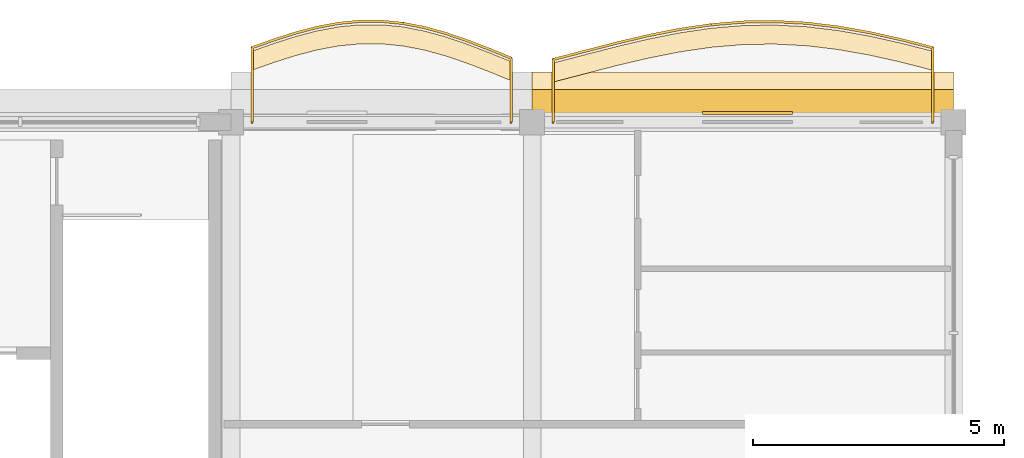
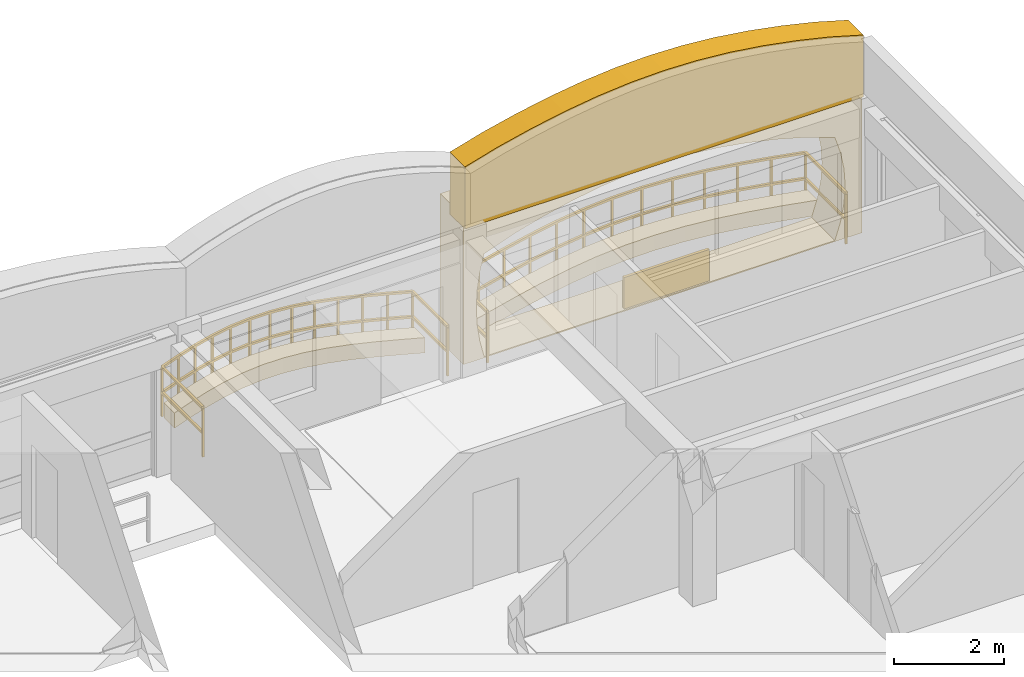
# One storey, part 12 of 12: 5 coverings, 2 railings.
"""IFC4 building model written with IfcOpenShell, lengths in metres."""

from ifc_helpers import new_model, si_unit, direction, frame, origin, origin_2d, place, context, subcontext, project, spatial, polyline, rectangle, outline, extrude, material, layer, layer_set, type_object, element, save


model = new_model("IFC4")

# Units and contexts
model_context = context("Model", 3, precision=1e-05, world=origin(), true_north=direction((0.0, 1.0)))
body_context = subcontext(model_context, "Body", "Model", "MODEL_VIEW")
ifc_project = project(units=[si_unit("LENGTHUNIT", "METRE"), si_unit("AREAUNIT", "SQUARE_METRE"), si_unit("VOLUMEUNIT", "CUBIC_METRE"), si_unit("PLANEANGLEUNIT", "RADIAN"), si_unit("MASSUNIT", "GRAM", prefix="KILO"), si_unit("THERMODYNAMICTEMPERATUREUNIT", "KELVIN")], contexts=[model_context])

# Site, building, storey
site_placement = place(None, origin())
site = spatial("IfcSite", under=ifc_project, at=site_placement, CompositionType="ELEMENT")
building_placement = place(site_placement, origin())
building = spatial("IfcBuilding", under=site, at=building_placement, Name="Thalorik Housing Commons", CompositionType="ELEMENT")
storey_placement = place(building_placement, frame((0.0, 0.0, 51.0)))
storey = spatial("IfcBuildingStorey", under=building, at=storey_placement, Name="L15", CompositionType="ELEMENT", Elevation=51.0)

# Coverings
ifc_material_1 = material(Name="Cobalt blue glazed ceramic facade tile panel", Category="masonry")
ifc_layer_1 = layer(ifc_material_1, 0.06005859375, Name="Cobalt blue glazed ceramic facade tile panel", Category="masonry")
ifc_layer_set_1 = layer_set([ifc_layer_1], Name="Cobalt blue glazed ceramic facade tile panel")
covering_type_1 = type_object("IfcCoveringType", Name="ARC-CLD-BLU-60", PredefinedType="CLADDING", material=ifc_layer_set_1)
covering_1_placement = place(storey_placement, frame((33.092529296875, 123.78759765625, 0.0498046875), z_axis=(0.0, 0.0, 1.0), x_axis=(-1.0, 0.0, 0.0)))
element("IfcCovering", 1, at=covering_1_placement, inside=storey, type_object=covering_type_1, Name="L15 De Stijl Recessed Window Spandrel 1425", PredefinedType="CLADDING", context=body_context, shape_type="SweptSolid", body=[
    extrude(rectangle(XDim=1.800048828125, YDim=0.06005859375, at=origin_2d()), origin(), (0.0, 0.0, 1.0), 0.699951171875),
])
ifc_material_2 = material(Name="Precast concrete C40/50", Category="concrete")
ifc_layer_2 = layer(ifc_material_2, 0.85009765625, Name="Precast concrete C40/50", Category="concrete")
ifc_layer_set_2 = layer_set([ifc_layer_2], Name="Precast concrete C40/50")
covering_type_2 = type_object("IfcCoveringType", Name="ARC-CLD-CUSH-850", PredefinedType="CLADDING", material=ifc_layer_set_2)
covering_2_placement = place(storey_placement, frame((33.0, 124.177490234375, 0.0), z_axis=(0.0, 0.0, 1.0), x_axis=(-1.0, 0.0, 0.0)))
element("IfcCovering", 2, at=covering_2_placement, inside=storey, type_object=covering_type_2, Name="L15 White Precast Curved Cushion Bay Frame 1424", PredefinedType="CLADDING", context=body_context, shape_type="SweptSolid", body=[
    extrude(outline(polyline([(-4.199951171875, 0.0), (4.199951171875, 0.0), (4.199951171875, 3.300048828125), (-4.199951171875, 3.300048828125), (-4.199951171875, 0.0)]), holes=[polyline([(3.762451171875, 0.02490234375), (3.854736328125, 0.407470703125), (3.91015625, 0.7900390625), (3.9287109375, 1.172607421875), (3.91015625, 1.554931640625), (3.854736328125, 1.9375), (3.762451171875, 2.320068359375), (3.146484375, 2.539306640625), (2.5302734375, 2.711181640625), (1.914306640625, 2.8505859375), (1.29833984375, 2.954345703125), (0.68212890625, 3.018310546875), (0.066162109375, 3.0400390625), (-0.5498046875, 3.018310546875), (-1.166015625, 2.954345703125), (-1.781982421875, 2.8505859375), (-2.39794921875, 2.711181640625), (-3.013916015625, 2.539306640625), (-3.6298828125, 2.320068359375), (-3.750244140625, 1.9375), (-3.822509765625, 1.554931640625), (-3.8466796875, 1.172607421875), (-3.822509765625, 0.7900390625), (-3.750244140625, 0.407470703125), (-3.6298828125, 0.02490234375), (3.762451171875, 0.02490234375)])]), frame((0.0, 0.425048828125, 0.0), z_axis=(0.0, -1.0, 0.0), x_axis=(1.0, 0.0, 0.0)), (0.0, 0.0, 1.0), 0.85009765625),
])
ifc_layer_3 = layer(ifc_material_2, 0.550048828125, Name="Precast concrete C40/50", Category="concrete")
ifc_layer_set_3 = layer_set([ifc_layer_3], Name="Precast concrete C40/50")
covering_type_3 = type_object("IfcCoveringType", Name="ARC-CLD-PAR-550", PredefinedType="CLADDING", material=ifc_layer_set_3)
covering_3_placement = place(storey_placement, frame((33.0, 123.972412109375, 3.06005859375), z_axis=(0.0, 0.0, 1.0), x_axis=(-1.0, 0.0, 0.0)))
element("IfcCovering", 3, at=covering_3_placement, inside=storey, type_object=covering_type_3, Name="L15 Block A Scalloped White Precast Parapet Crest 1465", PredefinedType="CLADDING", context=body_context, shape_type="SweptSolid", body=[
    extrude(outline(polyline([(-4.199951171875, 0.0), (4.199951171875, 0.0), (4.199951171875, 1.3798828125), (3.5, 1.58154296875), (2.800048828125, 1.744384765625), (2.10009765625, 1.877685546875), (1.39990234375, 1.977294921875), (0.699951171875, 2.0390625), (0.0, 2.06005859375), (-0.699951171875, 2.0390625), (-1.39990234375, 1.977294921875), (-2.10009765625, 1.877685546875), (-2.800048828125, 1.744384765625), (-3.5, 1.58154296875), (-4.199951171875, 1.3798828125), (-4.199951171875, 0.0)])), frame((0.0, 0.27490234375, 0.0), z_axis=(0.0, -1.0, 0.0), x_axis=(1.0, 0.0, 0.0)), (0.0, 0.0, 1.0), 0.550048828125),
])
ifc_material_3 = material(Name="Planted vegetated substrate and terracotta trough", Category="masonry")
ifc_layer_4 = layer(ifc_material_3, 0.340087890625, Name="Planted vegetated substrate and terracotta trough", Category="masonry")
ifc_layer_set_4 = layer_set([ifc_layer_4], Name="Planted vegetated substrate and terracotta trough")
covering_type_4 = type_object("IfcCoveringType", Name="ARC-COV-PLANTER", PredefinedType="USERDEFINED", material=ifc_layer_set_4)
covering_4_placement = place(storey_placement, origin())
element("IfcCovering", 4, at=covering_4_placement, inside=storey, type_object=covering_type_4, Name="L15 Balcony Slab-Edge Planted Trough 5412", ObjectType="PLANTER", PredefinedType="USERDEFINED", context=body_context, shape_type="SweptSolid", body=[
    extrude(outline(polyline([(28.3798828125, 124.80859375), (27.949951171875, 124.98291015625), (27.52001953125, 125.149169921875), (27.090087890625, 125.29638671875), (26.659912109375, 125.41552734375), (26.22998046875, 125.4990234375), (25.800048828125, 125.541748046875), (25.3701171875, 125.541748046875), (24.93994140625, 125.499755859375), (24.510009765625, 125.419189453125), (24.080078125, 125.305908203125), (23.64990234375, 125.168212890625), (23.219970703125, 125.01611328125), (23.219970703125, 124.635986328125), (23.64990234375, 124.788330078125), (24.080078125, 124.92578125), (24.510009765625, 125.0390625), (24.93994140625, 125.119873046875), (25.3701171875, 125.161865234375), (25.800048828125, 125.161865234375), (26.22998046875, 125.118896484375), (26.659912109375, 125.035400390625), (27.090087890625, 124.91650390625), (27.52001953125, 124.76904296875), (27.949951171875, 124.602783203125), (28.3798828125, 124.428466796875), (28.3798828125, 124.80859375)])), origin(), (0.0, 0.0, 1.0), 0.340087890625),
])
covering_5_placement = place(storey_placement, origin())
element("IfcCovering", 5, at=covering_5_placement, inside=storey, type_object=covering_type_4, Name="L15 Balcony Slab-Edge Planted Trough 5413", ObjectType="PLANTER", PredefinedType="USERDEFINED", context=body_context, shape_type="SweptSolid", body=[
    extrude(outline(polyline([(36.780029296875, 125.015380859375), (36.14990234375, 125.176025390625), (35.52001953125, 125.317138671875), (34.889892578125, 125.428955078125), (34.260009765625, 125.50390625), (33.6298828125, 125.537109375), (33.0, 125.526611328125), (32.3701171875, 125.47314453125), (31.739990234375, 125.380615234375), (31.110107421875, 125.255615234375), (30.47998046875, 125.10693359375), (29.85009765625, 124.944580078125), (29.219970703125, 124.7802734375), (29.219970703125, 124.400146484375), (29.85009765625, 124.564697265625), (30.47998046875, 124.726806640625), (31.110107421875, 124.875732421875), (31.739990234375, 125.00048828125), (32.3701171875, 125.093017578125), (33.0, 125.146484375), (33.6298828125, 125.156982421875), (34.260009765625, 125.123779296875), (34.889892578125, 125.048828125), (35.52001953125, 124.937255859375), (36.14990234375, 124.796142578125), (36.780029296875, 124.635498046875), (36.780029296875, 125.015380859375)])), origin(), (0.0, 0.0, 1.0), 0.340087890625),
])

# Railings
ifc_material_4 = material(Name="Steel S355", Category="steel")
railing_type_1 = type_object("IfcRailingType", Name="ARC-RL-BAL-112", PredefinedType="BALUSTRADE", material=ifc_material_4)
railing_1_placement = place(storey_placement, frame((28.3798828125, 123.60009765625, 0.0)))
element("IfcRailing", 6, at=railing_1_placement, inside=storey, type_object=railing_type_1, Name="L15 Cushion Balcony Guardrail 96", PredefinedType="BALUSTRADE", context=body_context, shape_type="SweptSolid", body=[
    extrude(rectangle(XDim=0.050048828125, YDim=0.050048828125, at=origin_2d()), frame((0.0, 0.0, 1.09521484375), z_axis=(0.0, 1.0, 0.0), x_axis=(-1.0, 0.0, 0.0)), (0.0, 0.0, 1.0), 1.2783203125),
    extrude(rectangle(XDim=0.050048828125, YDim=0.050048828125, at=origin_2d()), frame((0.0, 0.0, 0.53515625), z_axis=(0.0, 1.0, 0.0), x_axis=(-1.0, 0.0, 0.0)), (0.0, 0.0, 1.0), 1.2783203125),
    extrude(rectangle(XDim=0.050048828125, YDim=0.050048828125, at=origin_2d()), frame((0.0, 1.2783203125, 1.09521484375), z_axis=(-0.926541092469, 0.376193572468, 0.0), x_axis=(-0.376193572468, -0.926541092469, 0.0)), (0.0, 0.0, 1.0), 0.464111328125),
    extrude(rectangle(XDim=0.050048828125, YDim=0.050048828125, at=origin_2d()), frame((0.0, 1.2783203125, 0.53515625), z_axis=(-0.926541092469, 0.376193572468, 0.0), x_axis=(-0.376193572468, -0.926541092469, 0.0)), (0.0, 0.0, 1.0), 0.464111328125),
    extrude(rectangle(XDim=0.050048828125, YDim=0.050048828125, at=origin_2d()), frame((-0.429931640625, 1.452880859375, 1.09521484375), z_axis=(-0.9328669237, 0.360221185756, 0.0), x_axis=(-0.360221185756, -0.9328669237, 0.0)), (0.0, 0.0, 1.0), 0.4609375),
    extrude(rectangle(XDim=0.050048828125, YDim=0.050048828125, at=origin_2d()), frame((-0.429931640625, 1.452880859375, 0.53515625), z_axis=(-0.9328669237, 0.360221185756, 0.0), x_axis=(-0.360221185756, -0.9328669237, 0.0)), (0.0, 0.0, 1.0), 0.4609375),
    extrude(rectangle(XDim=0.050048828125, YDim=0.050048828125, at=origin_2d()), frame((-0.85986328125, 1.618896484375, 1.09521484375), z_axis=(-0.945908272877, 0.324434183315, 0.0), x_axis=(-0.324434183315, -0.945908272877, 0.0)), (0.0, 0.0, 1.0), 0.45458984375),
    extrude(rectangle(XDim=0.050048828125, YDim=0.050048828125, at=origin_2d()), frame((-0.85986328125, 1.618896484375, 0.53515625), z_axis=(-0.945908272877, 0.324434183315, 0.0), x_axis=(-0.324434183315, -0.945908272877, 0.0)), (0.0, 0.0, 1.0), 0.45458984375),
    extrude(rectangle(XDim=0.050048828125, YDim=0.050048828125, at=origin_2d()), frame((-1.289794921875, 1.766357421875, 1.09521484375), z_axis=(-0.963721364475, 0.26691034385, 0.0), x_axis=(-0.26691034385, -0.963721364475, 0.0)), (0.0, 0.0, 1.0), 0.4462890625),
    extrude(rectangle(XDim=0.050048828125, YDim=0.050048828125, at=origin_2d()), frame((-1.289794921875, 1.766357421875, 0.53515625), z_axis=(-0.963721364475, 0.26691034385, 0.0), x_axis=(-0.26691034385, -0.963721364475, 0.0)), (0.0, 0.0, 1.0), 0.4462890625),
    extrude(rectangle(XDim=0.050048828125, YDim=0.050048828125, at=origin_2d()), frame((-1.719970703125, 1.885498046875, 1.09521484375), z_axis=(-0.981658882088, 0.190645847629, 0.0), x_axis=(-0.190645847629, -0.981658882088, 0.0)), (0.0, 0.0, 1.0), 0.43798828125),
    extrude(rectangle(XDim=0.050048828125, YDim=0.050048828125, at=origin_2d()), frame((-1.719970703125, 1.885498046875, 0.53515625), z_axis=(-0.981658882088, 0.190645847629, 0.0), x_axis=(-0.190645847629, -0.981658882088, 0.0)), (0.0, 0.0, 1.0), 0.43798828125),
    extrude(rectangle(XDim=0.050048828125, YDim=0.050048828125, at=origin_2d()), frame((-2.14990234375, 1.968994140625, 1.09521484375), z_axis=(-0.995098542801, 0.098888270863, 0.0), x_axis=(-0.098888270863, -0.995098542801, 0.0)), (0.0, 0.0, 1.0), 0.43212890625),
    extrude(rectangle(XDim=0.050048828125, YDim=0.050048828125, at=origin_2d()), frame((-2.14990234375, 1.968994140625, 0.53515625), z_axis=(-0.995098542801, 0.098888270863, 0.0), x_axis=(-0.098888270863, -0.995098542801, 0.0)), (0.0, 0.0, 1.0), 0.43212890625),
    extrude(rectangle(XDim=0.050048828125, YDim=0.050048828125, at=origin_2d()), frame((-2.579833984375, 2.01171875, 1.09521484375), z_axis=(-1.0, 0.0, 0.0), x_axis=(0.0, -1.0, 0.0)), (0.0, 0.0, 1.0), 0.429931640625),
    extrude(rectangle(XDim=0.050048828125, YDim=0.050048828125, at=origin_2d()), frame((-2.579833984375, 2.01171875, 0.53515625), z_axis=(-1.0, 0.0, 0.0), x_axis=(0.0, -1.0, 0.0)), (0.0, 0.0, 1.0), 0.429931640625),
    extrude(rectangle(XDim=0.050048828125, YDim=0.050048828125, at=origin_2d()), frame((-3.009765625, 2.01171875, 1.09521484375), z_axis=(-0.995269306776, -0.09715455208, 0.0), x_axis=(0.09715455208, -0.995269306776, 0.0)), (0.0, 0.0, 1.0), 0.43212890625),
    extrude(rectangle(XDim=0.050048828125, YDim=0.050048828125, at=origin_2d()), frame((-3.009765625, 2.01171875, 0.53515625), z_axis=(-0.995269306776, -0.09715455208, 0.0), x_axis=(0.09715455208, -0.995269306776, 0.0)), (0.0, 0.0, 1.0), 0.43212890625),
    extrude(rectangle(XDim=0.050048828125, YDim=0.050048828125, at=origin_2d()), frame((-3.43994140625, 1.9697265625, 1.09521484375), z_axis=(-0.982789955867, -0.184726561835, 0.0), x_axis=(0.184726561835, -0.982789955867, 0.0)), (0.0, 0.0, 1.0), 0.4375),
    extrude(rectangle(XDim=0.050048828125, YDim=0.050048828125, at=origin_2d()), frame((-3.43994140625, 1.9697265625, 0.53515625), z_axis=(-0.982789955867, -0.184726561835, 0.0), x_axis=(0.184726561835, -0.982789955867, 0.0)), (0.0, 0.0, 1.0), 0.4375),
    extrude(rectangle(XDim=0.050048828125, YDim=0.050048828125, at=origin_2d()), frame((-3.869873046875, 1.888916015625, 1.09521484375), z_axis=(-0.967131424423, -0.254277029817, 0.0), x_axis=(0.254277029817, -0.967131424423, 0.0)), (0.0, 0.0, 1.0), 0.444580078125),
    extrude(rectangle(XDim=0.050048828125, YDim=0.050048828125, at=origin_2d()), frame((-3.869873046875, 1.888916015625, 0.53515625), z_axis=(-0.967131424423, -0.254277029817, 0.0), x_axis=(0.254277029817, -0.967131424423, 0.0)), (0.0, 0.0, 1.0), 0.444580078125),
    extrude(rectangle(XDim=0.050048828125, YDim=0.050048828125, at=origin_2d()), frame((-4.2998046875, 1.77587890625, 1.09521484375), z_axis=(-0.952399039918, -0.304854176228, 0.0), x_axis=(0.304854176228, -0.952399039918, 0.0)), (0.0, 0.0, 1.0), 0.45166015625),
    extrude(rectangle(XDim=0.050048828125, YDim=0.050048828125, at=origin_2d()), frame((-4.2998046875, 1.77587890625, 0.53515625), z_axis=(-0.952399039918, -0.304854176228, 0.0), x_axis=(0.304854176228, -0.952399039918, 0.0)), (0.0, 0.0, 1.0), 0.45166015625),
    extrude(rectangle(XDim=0.050048828125, YDim=0.050048828125, at=origin_2d()), frame((-4.72998046875, 1.63818359375, 1.09521484375), z_axis=(-0.942574576093, -0.333995761205, 0.0), x_axis=(0.333995761205, -0.942574576093, 0.0)), (0.0, 0.0, 1.0), 0.4560546875),
    extrude(rectangle(XDim=0.050048828125, YDim=0.050048828125, at=origin_2d()), frame((-4.72998046875, 1.63818359375, 0.53515625), z_axis=(-0.942574576093, -0.333995761205, 0.0), x_axis=(0.333995761205, -0.942574576093, 0.0)), (0.0, 0.0, 1.0), 0.4560546875),
    extrude(rectangle(XDim=0.050048828125, YDim=0.050048828125, at=origin_2d()), frame((-5.159912109375, 1.48583984375, 1.09521484375), z_axis=(0.0, -1.0, 0.0), x_axis=(1.0, 0.0, 0.0)), (0.0, 0.0, 1.0), 1.48583984375),
    extrude(rectangle(XDim=0.050048828125, YDim=0.050048828125, at=origin_2d()), frame((-5.159912109375, 1.48583984375, 0.53515625), z_axis=(0.0, -1.0, 0.0), x_axis=(1.0, 0.0, 0.0)), (0.0, 0.0, 1.0), 1.48583984375),
    extrude(rectangle(XDim=0.0419921875, YDim=0.0419921875, at=origin_2d()), origin(), (0.0, 0.0, 1.0), 1.070068359375),
    extrude(rectangle(XDim=0.0419921875, YDim=0.0419921875, at=origin_2d()), frame((0.0, 1.2783203125, 0.0)), (0.0, 0.0, 1.0), 1.070068359375),
    extrude(rectangle(XDim=0.0419921875, YDim=0.0419921875, at=origin_2d()), frame((-0.429931640625, 1.452880859375, 0.0)), (0.0, 0.0, 1.0), 1.070068359375),
    extrude(rectangle(XDim=0.0419921875, YDim=0.0419921875, at=origin_2d()), frame((-0.85986328125, 1.618896484375, 0.0)), (0.0, 0.0, 1.0), 1.070068359375),
    extrude(rectangle(XDim=0.0419921875, YDim=0.0419921875, at=origin_2d()), frame((-1.289794921875, 1.766357421875, 0.0)), (0.0, 0.0, 1.0), 1.070068359375),
    extrude(rectangle(XDim=0.0419921875, YDim=0.0419921875, at=origin_2d()), frame((-1.719970703125, 1.885498046875, 0.0)), (0.0, 0.0, 1.0), 1.070068359375),
    extrude(rectangle(XDim=0.0419921875, YDim=0.0419921875, at=origin_2d()), frame((-2.14990234375, 1.968994140625, 0.0)), (0.0, 0.0, 1.0), 1.070068359375),
    extrude(rectangle(XDim=0.0419921875, YDim=0.0419921875, at=origin_2d()), frame((-2.579833984375, 2.01171875, 0.0)), (0.0, 0.0, 1.0), 1.070068359375),
    extrude(rectangle(XDim=0.0419921875, YDim=0.0419921875, at=origin_2d()), frame((-3.009765625, 2.01171875, 0.0)), (0.0, 0.0, 1.0), 1.070068359375),
    extrude(rectangle(XDim=0.0419921875, YDim=0.0419921875, at=origin_2d()), frame((-3.43994140625, 1.9697265625, 0.0)), (0.0, 0.0, 1.0), 1.070068359375),
    extrude(rectangle(XDim=0.0419921875, YDim=0.0419921875, at=origin_2d()), frame((-3.869873046875, 1.888916015625, 0.0)), (0.0, 0.0, 1.0), 1.070068359375),
    extrude(rectangle(XDim=0.0419921875, YDim=0.0419921875, at=origin_2d()), frame((-4.2998046875, 1.77587890625, 0.0)), (0.0, 0.0, 1.0), 1.070068359375),
    extrude(rectangle(XDim=0.0419921875, YDim=0.0419921875, at=origin_2d()), frame((-4.72998046875, 1.63818359375, 0.0)), (0.0, 0.0, 1.0), 1.070068359375),
    extrude(rectangle(XDim=0.0419921875, YDim=0.0419921875, at=origin_2d()), frame((-5.159912109375, 1.48583984375, 0.0)), (0.0, 0.0, 1.0), 1.070068359375),
    extrude(rectangle(XDim=0.0419921875, YDim=0.0419921875, at=origin_2d()), frame((-5.159912109375, 0.0, 0.0)), (0.0, 0.0, 1.0), 1.070068359375),
])
railing_type_2 = type_object("IfcRailingType", Name="ARC-RL-BAL-115", PredefinedType="BALUSTRADE", material=ifc_material_4)
railing_2_placement = place(storey_placement, frame((36.780029296875, 123.60009765625, 0.0)))
element("IfcRailing", 7, at=railing_2_placement, inside=storey, type_object=railing_type_2, Name="L15 Cushion Balcony Guardrail 97", PredefinedType="BALUSTRADE", context=body_context, shape_type="SweptSolid", body=[
    extrude(rectangle(XDim=0.050048828125, YDim=0.050048828125, at=origin_2d()), frame((0.0, 0.0, 1.125), z_axis=(0.0, 1.0, 0.0), x_axis=(-1.0, 0.0, 0.0)), (0.0, 0.0, 1.0), 1.4853515625),
    extrude(rectangle(XDim=0.050048828125, YDim=0.050048828125, at=origin_2d()), frame((0.0, 0.0, 0.5498046875), z_axis=(0.0, 1.0, 0.0), x_axis=(-1.0, 0.0, 0.0)), (0.0, 0.0, 1.0), 1.4853515625),
    extrude(rectangle(XDim=0.050048828125, YDim=0.050048828125, at=origin_2d()), frame((0.0, 1.4853515625, 1.125), z_axis=(-0.969005724791, 0.247038266917, 0.0), x_axis=(-0.247038266917, -0.969005724791, 0.0)), (0.0, 0.0, 1.0), 0.650390625),
    extrude(rectangle(XDim=0.050048828125, YDim=0.050048828125, at=origin_2d()), frame((0.0, 1.4853515625, 0.5498046875), z_axis=(-0.969005724791, 0.247038266917, 0.0), x_axis=(-0.247038266917, -0.969005724791, 0.0)), (0.0, 0.0, 1.0), 0.650390625),
    extrude(rectangle(XDim=0.050048828125, YDim=0.050048828125, at=origin_2d()), frame((-0.630126953125, 1.64599609375, 1.125), z_axis=(-0.975811839183, 0.218612109708, 0.0), x_axis=(-0.218612109708, -0.975811839183, 0.0)), (0.0, 0.0, 1.0), 0.6455078125),
    extrude(rectangle(XDim=0.050048828125, YDim=0.050048828125, at=origin_2d()), frame((-0.630126953125, 1.64599609375, 0.5498046875), z_axis=(-0.975811839183, 0.218612109708, 0.0), x_axis=(-0.218612109708, -0.975811839183, 0.0)), (0.0, 0.0, 1.0), 0.6455078125),
    extrude(rectangle(XDim=0.050048828125, YDim=0.050048828125, at=origin_2d()), frame((-1.260009765625, 1.787109375, 1.125), z_axis=(-0.984683537287, 0.174351172623, 0.0), x_axis=(-0.174351172623, -0.984683537287, 0.0)), (0.0, 0.0, 1.0), 0.639892578125),
    extrude(rectangle(XDim=0.050048828125, YDim=0.050048828125, at=origin_2d()), frame((-1.260009765625, 1.787109375, 0.5498046875), z_axis=(-0.984683537287, 0.174351172623, 0.0), x_axis=(-0.174351172623, -0.984683537287, 0.0)), (0.0, 0.0, 1.0), 0.639892578125),
    extrude(rectangle(XDim=0.050048828125, YDim=0.050048828125, at=origin_2d()), frame((-1.89013671875, 1.898681640625, 1.125), z_axis=(-0.992949497864, 0.118538157109, 0.0), x_axis=(-0.118538157109, -0.992949497864, 0.0)), (0.0, 0.0, 1.0), 0.63427734375),
    extrude(rectangle(XDim=0.050048828125, YDim=0.050048828125, at=origin_2d()), frame((-1.89013671875, 1.898681640625, 0.5498046875), z_axis=(-0.992949497864, 0.118538157109, 0.0), x_axis=(-0.118538157109, -0.992949497864, 0.0)), (0.0, 0.0, 1.0), 0.63427734375),
    extrude(rectangle(XDim=0.050048828125, YDim=0.050048828125, at=origin_2d()), frame((-2.52001953125, 1.973876953125, 1.125), z_axis=(-0.998614621038, 0.052619755312, 0.0), x_axis=(-0.052619755312, -0.998614621038, 0.0)), (0.0, 0.0, 1.0), 0.631103515625),
    extrude(rectangle(XDim=0.050048828125, YDim=0.050048828125, at=origin_2d()), frame((-2.52001953125, 1.973876953125, 0.5498046875), z_axis=(-0.998614621038, 0.052619755312, 0.0), x_axis=(-0.052619755312, -0.998614621038, 0.0)), (0.0, 0.0, 1.0), 0.631103515625),
    extrude(rectangle(XDim=0.050048828125, YDim=0.050048828125, at=origin_2d()), frame((-3.150146484375, 2.007080078125, 1.125), z_axis=(-0.999854607762, -0.017051784008, 0.0), x_axis=(0.017051784008, -0.999854607762, 0.0)), (0.0, 0.0, 1.0), 0.6298828125),
    extrude(rectangle(XDim=0.050048828125, YDim=0.050048828125, at=origin_2d()), frame((-3.150146484375, 2.007080078125, 0.5498046875), z_axis=(-0.999854607762, -0.017051784008, 0.0), x_axis=(0.017051784008, -0.999854607762, 0.0)), (0.0, 0.0, 1.0), 0.6298828125),
    extrude(rectangle(XDim=0.050048828125, YDim=0.050048828125, at=origin_2d()), frame((-3.780029296875, 1.996337890625, 1.125), z_axis=(-0.99644920467, -0.084196095588, 0.0), x_axis=(0.084196095588, -0.99644920467, 0.0)), (0.0, 0.0, 1.0), 0.632080078125),
    extrude(rectangle(XDim=0.050048828125, YDim=0.050048828125, at=origin_2d()), frame((-3.780029296875, 1.996337890625, 0.5498046875), z_axis=(-0.99644920467, -0.084196095588, 0.0), x_axis=(0.084196095588, -0.99644920467, 0.0)), (0.0, 0.0, 1.0), 0.632080078125),
    extrude(rectangle(XDim=0.050048828125, YDim=0.050048828125, at=origin_2d()), frame((-4.409912109375, 1.943115234375, 1.125), z_axis=(-0.989389948801, -0.145284304764, 0.0), x_axis=(0.145284304764, -0.989389948801, 0.0)), (0.0, 0.0, 1.0), 0.636962890625),
    extrude(rectangle(XDim=0.050048828125, YDim=0.050048828125, at=origin_2d()), frame((-4.409912109375, 1.943115234375, 0.5498046875), z_axis=(-0.989389948801, -0.145284304764, 0.0), x_axis=(0.145284304764, -0.989389948801, 0.0)), (0.0, 0.0, 1.0), 0.636962890625),
    extrude(rectangle(XDim=0.050048828125, YDim=0.050048828125, at=origin_2d()), frame((-5.0400390625, 1.8505859375, 1.125), z_axis=(-0.980872033872, -0.194653674939, 0.0), x_axis=(0.194653674939, -0.980872033872, 0.0)), (0.0, 0.0, 1.0), 0.64208984375),
    extrude(rectangle(XDim=0.050048828125, YDim=0.050048828125, at=origin_2d()), frame((-5.0400390625, 1.8505859375, 0.5498046875), z_axis=(-0.980872033872, -0.194653674939, 0.0), x_axis=(0.194653674939, -0.980872033872, 0.0)), (0.0, 0.0, 1.0), 0.64208984375),
    extrude(rectangle(XDim=0.050048828125, YDim=0.050048828125, at=origin_2d()), frame((-5.669921875, 1.7255859375, 1.125), z_axis=(-0.973273559033, -0.2296488173, 0.0), x_axis=(0.2296488173, -0.973273559033, 0.0)), (0.0, 0.0, 1.0), 0.6474609375),
    extrude(rectangle(XDim=0.050048828125, YDim=0.050048828125, at=origin_2d()), frame((-5.669921875, 1.7255859375, 0.5498046875), z_axis=(-0.973273559033, -0.2296488173, 0.0), x_axis=(0.2296488173, -0.973273559033, 0.0)), (0.0, 0.0, 1.0), 0.6474609375),
    extrude(rectangle(XDim=0.050048828125, YDim=0.050048828125, at=origin_2d()), frame((-6.300048828125, 1.576904296875, 1.125), z_axis=(-0.968350517178, -0.249594222451, 0.0), x_axis=(0.249594222451, -0.968350517178, 0.0)), (0.0, 0.0, 1.0), 0.650390625),
    extrude(rectangle(XDim=0.050048828125, YDim=0.050048828125, at=origin_2d()), frame((-6.300048828125, 1.576904296875, 0.5498046875), z_axis=(-0.968350517178, -0.249594222451, 0.0), x_axis=(0.249594222451, -0.968350517178, 0.0)), (0.0, 0.0, 1.0), 0.650390625),
    extrude(rectangle(XDim=0.050048828125, YDim=0.050048828125, at=origin_2d()), frame((-6.929931640625, 1.41455078125, 1.125), z_axis=(-0.967553545938, -0.252666055778, 0.0), x_axis=(0.252666055778, -0.967553545938, 0.0)), (0.0, 0.0, 1.0), 0.6513671875),
    extrude(rectangle(XDim=0.050048828125, YDim=0.050048828125, at=origin_2d()), frame((-6.929931640625, 1.41455078125, 0.5498046875), z_axis=(-0.967553545938, -0.252666055778, 0.0), x_axis=(0.252666055778, -0.967553545938, 0.0)), (0.0, 0.0, 1.0), 0.6513671875),
    extrude(rectangle(XDim=0.050048828125, YDim=0.050048828125, at=origin_2d()), frame((-7.56005859375, 1.25, 1.125), z_axis=(0.0, -1.0, 0.0), x_axis=(1.0, 0.0, 0.0)), (0.0, 0.0, 1.0), 1.25),
    extrude(rectangle(XDim=0.050048828125, YDim=0.050048828125, at=origin_2d()), frame((-7.56005859375, 1.25, 0.5498046875), z_axis=(0.0, -1.0, 0.0), x_axis=(1.0, 0.0, 0.0)), (0.0, 0.0, 1.0), 1.25),
    extrude(rectangle(XDim=0.0419921875, YDim=0.0419921875, at=origin_2d()), origin(), (0.0, 0.0, 1.0), 1.099853515625),
    extrude(rectangle(XDim=0.0419921875, YDim=0.0419921875, at=origin_2d()), frame((0.0, 1.4853515625, 0.0)), (0.0, 0.0, 1.0), 1.099853515625),
    extrude(rectangle(XDim=0.0419921875, YDim=0.0419921875, at=origin_2d()), frame((-0.630126953125, 1.64599609375, 0.0)), (0.0, 0.0, 1.0), 1.099853515625),
    extrude(rectangle(XDim=0.0419921875, YDim=0.0419921875, at=origin_2d()), frame((-1.260009765625, 1.787109375, 0.0)), (0.0, 0.0, 1.0), 1.099853515625),
    extrude(rectangle(XDim=0.0419921875, YDim=0.0419921875, at=origin_2d()), frame((-1.89013671875, 1.898681640625, 0.0)), (0.0, 0.0, 1.0), 1.099853515625),
    extrude(rectangle(XDim=0.0419921875, YDim=0.0419921875, at=origin_2d()), frame((-2.52001953125, 1.973876953125, 0.0)), (0.0, 0.0, 1.0), 1.099853515625),
    extrude(rectangle(XDim=0.0419921875, YDim=0.0419921875, at=origin_2d()), frame((-3.150146484375, 2.007080078125, 0.0)), (0.0, 0.0, 1.0), 1.099853515625),
    extrude(rectangle(XDim=0.0419921875, YDim=0.0419921875, at=origin_2d()), frame((-3.780029296875, 1.996337890625, 0.0)), (0.0, 0.0, 1.0), 1.099853515625),
    extrude(rectangle(XDim=0.0419921875, YDim=0.0419921875, at=origin_2d()), frame((-4.409912109375, 1.943115234375, 0.0)), (0.0, 0.0, 1.0), 1.099853515625),
    extrude(rectangle(XDim=0.0419921875, YDim=0.0419921875, at=origin_2d()), frame((-5.0400390625, 1.8505859375, 0.0)), (0.0, 0.0, 1.0), 1.099853515625),
    extrude(rectangle(XDim=0.0419921875, YDim=0.0419921875, at=origin_2d()), frame((-5.669921875, 1.7255859375, 0.0)), (0.0, 0.0, 1.0), 1.099853515625),
    extrude(rectangle(XDim=0.0419921875, YDim=0.0419921875, at=origin_2d()), frame((-6.300048828125, 1.576904296875, 0.0)), (0.0, 0.0, 1.0), 1.099853515625),
    extrude(rectangle(XDim=0.0419921875, YDim=0.0419921875, at=origin_2d()), frame((-6.929931640625, 1.41455078125, 0.0)), (0.0, 0.0, 1.0), 1.099853515625),
    extrude(rectangle(XDim=0.0419921875, YDim=0.0419921875, at=origin_2d()), frame((-7.56005859375, 1.25, 0.0)), (0.0, 0.0, 1.0), 1.099853515625),
    extrude(rectangle(XDim=0.0419921875, YDim=0.0419921875, at=origin_2d()), frame((-7.56005859375, 0.0, 0.0)), (0.0, 0.0, 1.0), 1.099853515625),
])

save(model, "model.ifc")
